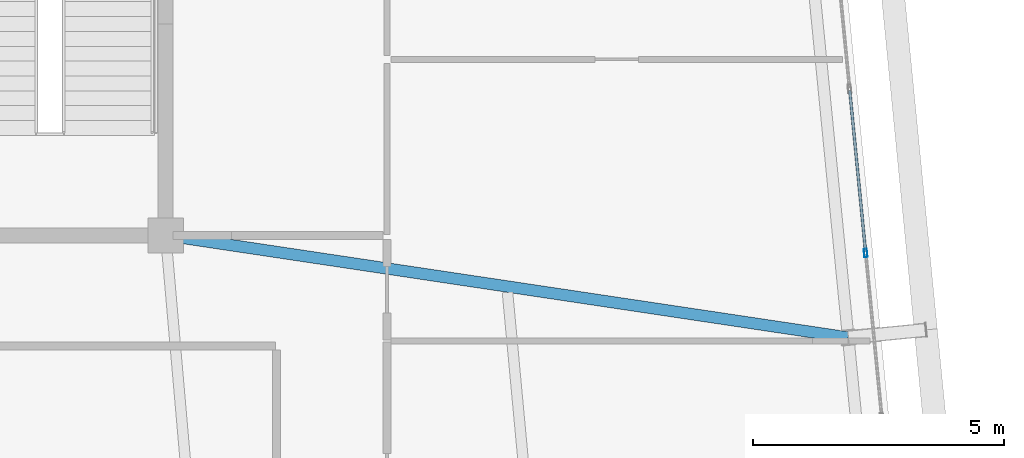
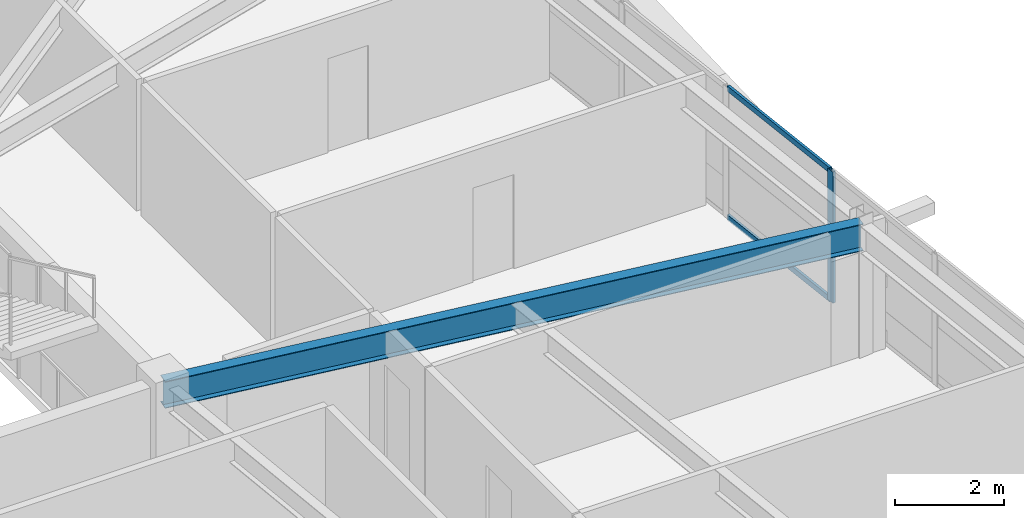
# One storey, part 25 of 53: 3 members, 1 beam, 1 element without a shape of its own.
"""IFC4 building model written with IfcOpenShell, lengths in metres."""

from ifc_helpers import new_model, si_unit, direction, frame, origin, origin_2d, place, context, subcontext, project, spatial, hollow_rectangle, i_section, extrude, source, transform, mapped, material, layer, layer_set, material_profile, profile_set, type_object, element, aggregate, save


model = new_model("IFC4")

# Units and contexts
model_context = context("Model", 3, precision=1e-05, world=origin(), true_north=direction((0.0, 1.0)))
body_context = subcontext(model_context, "Body", "Model", "MODEL_VIEW")
ifc_project = project(units=[si_unit("LENGTHUNIT", "METRE"), si_unit("AREAUNIT", "SQUARE_METRE"), si_unit("VOLUMEUNIT", "CUBIC_METRE"), si_unit("PLANEANGLEUNIT", "RADIAN"), si_unit("MASSUNIT", "GRAM", prefix="KILO")], contexts=[model_context])

# Site, building, storey
site_placement = place(None, origin())
site = spatial("IfcSite", under=ifc_project, at=site_placement, CompositionType="ELEMENT")
building_placement = place(site_placement, origin())
building = spatial("IfcBuilding", under=site, at=building_placement, Name="Taldren Reach Tower", CompositionType="ELEMENT")
storey_placement = place(building_placement, frame((0.0, 0.0, 71.39990234375)))
storey = spatial("IfcBuildingStorey", under=building, at=storey_placement, Name="L21", CompositionType="ELEMENT", Elevation=71.39990234375)

# Beam
ifc_material_1 = material(Name="Steel Gr 350 (350PLUS)", Category="steel")
ifc_material_profile_1 = material_profile(ifc_material_1, i_section(OverallWidth=0.22802734375, OverallDepth=0.60205078125, WebThickness=0.010498046875, FlangeThickness=0.014892578125, at=origin_2d()), Name="610UB101")
ifc_profile_set_1 = profile_set([ifc_material_profile_1], Name="Steel Gr 350 (350PLUS)")
beam_type = type_object("IfcBeamType", Name="BM-UB610B", PredefinedType="BEAM", material=ifc_profile_set_1)
shared_shape_1 = source(origin(), body_context, "Body", "SweptSolid", [
    extrude(i_section(OverallWidth=0.22802734375, OverallDepth=0.60205078125, WebThickness=0.010498046875, FlangeThickness=0.014892578125, at=origin_2d()), origin(), (0.0, 0.0, 1.0), 13.720703125),
])
beam_placement = place(storey_placement, frame((51.0, 24.0, 2.629150390625), z_axis=(0.988983679407, -0.148024598856, 0.0), x_axis=(0.148024598856, 0.988983679407, 0.0)))
element("IfcBeam", 1, at=beam_placement, inside=storey, type_object=beam_type, Name="Primary floor girder B2-E2 L21", PredefinedType="BEAM", context=body_context, shape_type="MappedRepresentation", body=[
    mapped(shared_shape_1, transform((0.0, 0.0, 0.0), scale=1.0)),
])

# Curtain wall, members
ifc_material_2 = material(Name="Aluminium and Low-E Glass Unitised System", Category="aluminium")
ifc_layer = layer(ifc_material_2, 0.159912109375)
ifc_layer_set = layer_set([ifc_layer], Name="Aluminium and Low-E Glass Unitised System")
curtain_wall_type = type_object("IfcCurtainWallType", Name="CW-SYS-3", PredefinedType="NOTDEFINED", material=ifc_layer_set)
curtain_wall_placement = place(storey_placement, origin())
curtain_wall = element("IfcCurtainWall", 2, at=curtain_wall_placement, inside=storey, type_object=curtain_wall_type, Name="Unitised curtain wall CW-L21-E", PredefinedType="NOTDEFINED")
ifc_material_3 = material(Name="Anodised Aluminium 6063-T6", Category="aluminium")
ifc_material_profile_2 = material_profile(ifc_material_3, hollow_rectangle(XDim=0.06494140625, YDim=0.1650390625, WallThickness=0.00390625, at=origin_2d()), Name="ALU-165x65x4RHS")
ifc_profile_set_2 = profile_set([ifc_material_profile_2], Name="Anodised Aluminium 6063-T6")
member_type_1 = type_object("IfcMemberType", Name="CW-MUL-165", PredefinedType="MULLION", material=ifc_profile_set_2)
shared_shape_2 = source(origin(), body_context, "Body", "SweptSolid", [
    extrude(hollow_rectangle(XDim=0.06494140625, YDim=0.1650390625, WallThickness=0.00390625, at=origin_2d()), origin(), (0.0, 0.0, 1.0), 2.93017578125),
])
member_1_placement = place(storey_placement, frame((64.9169921875, 23.649658203125, 0.0), z_axis=(0.0, 0.0, 1.0), x_axis=(-0.99522741555, -0.09758274098, 0.0)))
member_1 = element("IfcMember", 3, at=member_1_placement, type_object=member_type_1, Name="CW-3 mullion 6", PredefinedType="MULLION", context=body_context, shape_type="MappedRepresentation", body=[
    mapped(shared_shape_2, transform((0.0, 0.0, 0.0), scale=1.0)),
])
ifc_material_profile_3 = material_profile(ifc_material_3, hollow_rectangle(XDim=0.054931640625, YDim=0.1201171875, WallThickness=0.0029296875, at=origin_2d()), Name="ALU-120x55x3RHS")
ifc_profile_set_3 = profile_set([ifc_material_profile_3], Name="Anodised Aluminium 6063-T6")
member_type_2 = type_object("IfcMemberType", Name="CW-TRN-135", PredefinedType="USERDEFINED", material=ifc_profile_set_3)
shared_shape_3 = source(origin(), body_context, "Body", "SweptSolid", [
    extrude(hollow_rectangle(XDim=0.054931640625, YDim=0.1201171875, WallThickness=0.0029296875, at=origin_2d()), origin(), (0.0, 0.0, 1.0), 3.212646484375),
])
member_2_placement = place(storey_placement, frame((64.913818359375, 23.68212890625, 0.027587890625), z_axis=(-0.097577327663, 0.995227946315, 0.0), x_axis=(-0.995227946315, -0.097577327663, 0.0)))
member_2 = element("IfcMember", 4, at=member_2_placement, type_object=member_type_2, Name="CW-3 transom 6.1", ObjectType="TRANSOM", PredefinedType="USERDEFINED", context=body_context, shape_type="MappedRepresentation", body=[
    mapped(shared_shape_3, transform((0.0, 0.0, 0.0), scale=1.0)),
])
member_3_placement = place(storey_placement, frame((64.913818359375, 23.68212890625, 2.902587890625), z_axis=(-0.097577327663, 0.995227946315, 0.0), x_axis=(-0.995227946315, -0.097577327663, 0.0)))
member_3 = element("IfcMember", 5, at=member_3_placement, type_object=member_type_2, Name="CW-3 transom 6.2", ObjectType="TRANSOM", PredefinedType="USERDEFINED", context=body_context, shape_type="MappedRepresentation", body=[
    mapped(shared_shape_3, transform((0.0, 0.0, 0.0), scale=1.0)),
])
aggregate(curtain_wall, [member_1, member_2, member_3])

save(model, "model.ifc")
